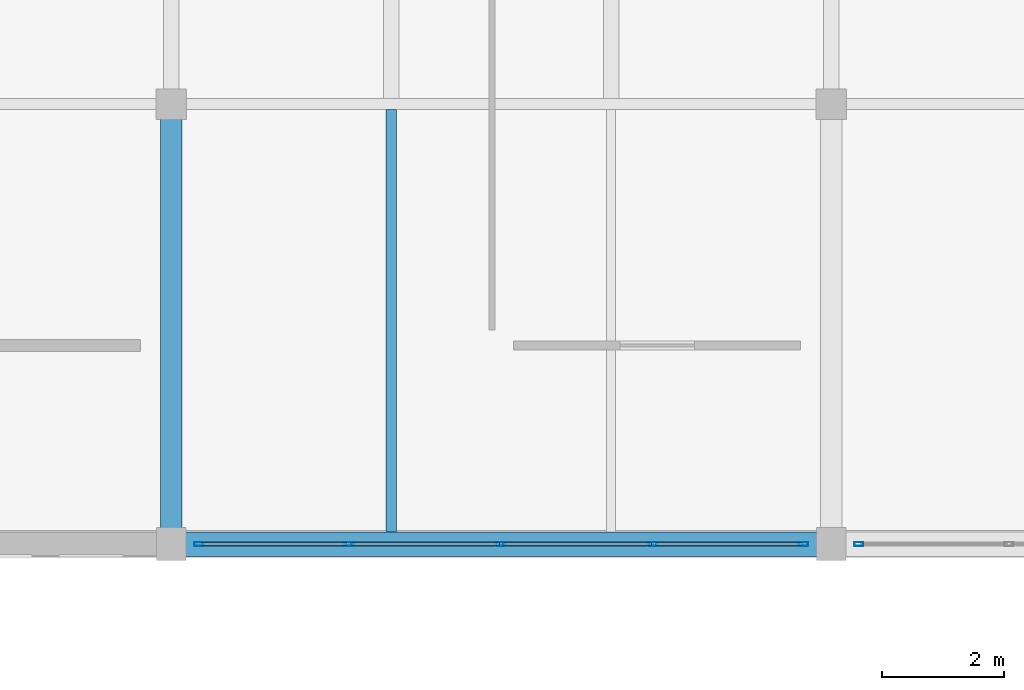
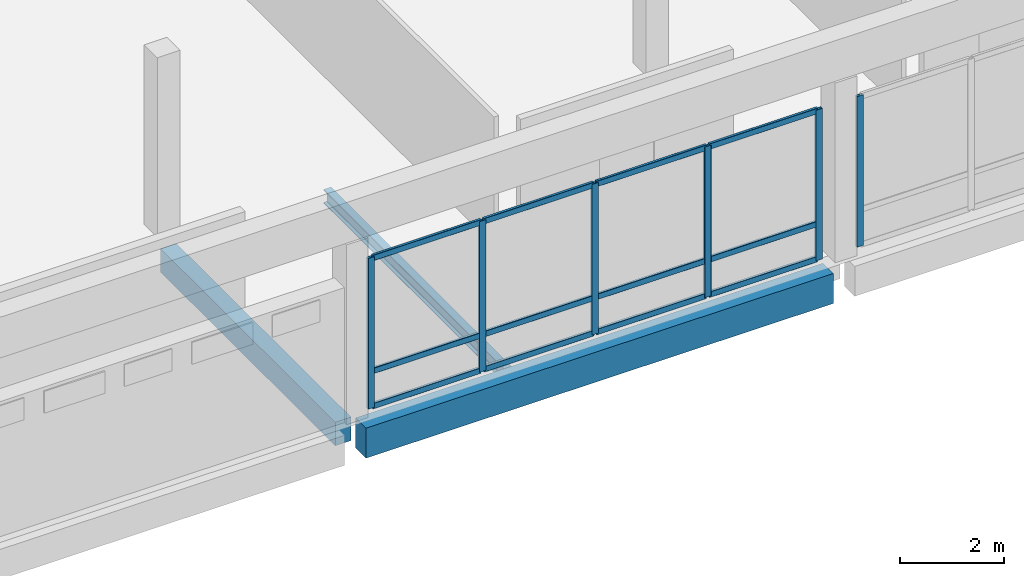
# One storey, part 13 of 33: 18 members, 3 beams, 2 elements without a shape of their own.
"""IFC4 building model written with IfcOpenShell, lengths in metres."""

from ifc_helpers import new_model, si_unit, direction, frame, origin, origin_2d, place, context, subcontext, project, spatial, rectangle, hollow_rectangle, i_section, extrude, material, material_profile, profile_set, type_object, element, aggregate, save


model = new_model("IFC4")

# Units and contexts
model_context = context("Model", 3, precision=1e-05, world=origin(), true_north=direction((0.0, 1.0)))
body_context = subcontext(model_context, "Body", "Model", "MODEL_VIEW")
ifc_project = project(units=[si_unit("LENGTHUNIT", "METRE"), si_unit("AREAUNIT", "SQUARE_METRE"), si_unit("VOLUMEUNIT", "CUBIC_METRE"), si_unit("PLANEANGLEUNIT", "RADIAN"), si_unit("MASSUNIT", "GRAM", prefix="KILO")], contexts=[model_context])

# Site, building, storey
site_placement = place(None, origin())
site = spatial("IfcSite", under=ifc_project, at=site_placement, CompositionType="ELEMENT")
building_placement = place(site_placement, origin())
building = spatial("IfcBuilding", under=site, at=building_placement, Name="Lusvemor Sports Hall", CompositionType="ELEMENT")
storey_placement = place(building_placement, frame((0.0, 0.0, 19.199951171875)))
storey = spatial("IfcBuildingStorey", under=building, at=storey_placement, Name="L04", CompositionType="ELEMENT", Elevation=19.199951171875)

# Beam
ifc_material_1 = material(Name="Concrete C40/50", Category="concrete")
ifc_material_profile_1 = material_profile(ifc_material_1, rectangle(XDim=0.35009765625, YDim=0.550048828125, at=origin_2d()), Name="RC350x550")
ifc_profile_set_1 = profile_set([ifc_material_profile_1], Name="Concrete C40/50")
beam_type_1 = type_object("IfcBeamType", Name="BEAM_RC_550", PredefinedType="BEAM", material=ifc_profile_set_1)
beam_1_placement = place(storey_placement, frame((32.39990234375, 97.466064453125, -0.56494140625), z_axis=(0.0, 1.0, 0.0), x_axis=(-1.0, 0.0, 0.0)))
element("IfcBeam", 1, at=beam_1_placement, inside=storey, type_object=beam_type_1, Name="Beam L04 4:N-P", PredefinedType="BEAM", context=body_context, shape_type="SweptSolid", body=[
    extrude(rectangle(XDim=0.35009765625, YDim=0.550048828125, at=origin_2d()), origin(), (0.0, 0.0, 1.0), 6.68798828125),
])

# Curtain wall, members
ifc_material_2 = material(Name="Thermally broken bronze-anodized aluminium", Category="aluminium")
curtain_wall_type = type_object("IfcCurtainWallType", Name="CW_WING_B", PredefinedType="NOTDEFINED", material=ifc_material_2)
curtain_wall_1_placement = place(storey_placement, origin())
curtain_wall_1 = element("IfcCurtainWall", 2, at=curtain_wall_1_placement, inside=storey, type_object=curtain_wall_type, Name="Curtain Wall CW-L04-S-3-3", PredefinedType="NOTDEFINED")
ifc_material_3 = material(Name="Thermally broken bronze-anodized aluminium", Category="aluminium")
ifc_material_profile_2 = material_profile(ifc_material_3, hollow_rectangle(XDim=0.06494140625, YDim=0.14990234375, WallThickness=0.00390625, InnerFilletRadius=0.00390625, OuterFilletRadius=0.008056640625, at=origin_2d()), Name="CWMUL150x65x4")
ifc_profile_set_2 = profile_set([ifc_material_profile_2], Name="Thermally broken bronze-anodized aluminium")
member_type_1 = type_object("IfcMemberType", Name="CW_MUL_B", PredefinedType="MULLION", material=ifc_profile_set_2)
member_1_placement = place(storey_placement, frame((42.74755859375, 97.199951171875, 0.0), z_axis=(0.0, 0.0, 1.0), x_axis=(0.0, -1.0, 0.0)))
member_1 = element("IfcMember", 3, at=member_1_placement, type_object=member_type_1, Name="CW02 mullion 1", PredefinedType="MULLION", context=body_context, shape_type="SweptSolid", body=[
    extrude(hollow_rectangle(XDim=0.06494140625, YDim=0.14990234375, WallThickness=0.00390625, InnerFilletRadius=0.00390625, OuterFilletRadius=0.008056640625, at=origin_2d()), origin(), (0.0, 0.0, 1.0), 3.52001953125),
])
member_2_placement = place(storey_placement, frame((40.2900390625, 97.199951171875, 0.0), z_axis=(0.0, 0.0, 1.0), x_axis=(0.0, -1.0, 0.0)))
member_2 = element("IfcMember", 4, at=member_2_placement, type_object=member_type_1, Name="CW02 mullion 2", PredefinedType="MULLION", context=body_context, shape_type="SweptSolid", body=[
    extrude(hollow_rectangle(XDim=0.06494140625, YDim=0.14990234375, WallThickness=0.00390625, InnerFilletRadius=0.00390625, OuterFilletRadius=0.008056640625, at=origin_2d()), origin(), (0.0, 0.0, 1.0), 3.52001953125),
])
member_3_placement = place(storey_placement, frame((37.800048828125, 97.199951171875, 0.0), z_axis=(0.0, 0.0, 1.0), x_axis=(0.0, -1.0, 0.0)))
member_3 = element("IfcMember", 5, at=member_3_placement, type_object=member_type_1, Name="CW02 mullion 3", PredefinedType="MULLION", context=body_context, shape_type="SweptSolid", body=[
    extrude(hollow_rectangle(XDim=0.06494140625, YDim=0.14990234375, WallThickness=0.00390625, InnerFilletRadius=0.00390625, OuterFilletRadius=0.008056640625, at=origin_2d()), origin(), (0.0, 0.0, 1.0), 3.52001953125),
])
member_4_placement = place(storey_placement, frame((35.31005859375, 97.199951171875, 0.0), z_axis=(0.0, 0.0, 1.0), x_axis=(0.0, -1.0, 0.0)))
member_4 = element("IfcMember", 6, at=member_4_placement, type_object=member_type_1, Name="CW02 mullion 4", PredefinedType="MULLION", context=body_context, shape_type="SweptSolid", body=[
    extrude(hollow_rectangle(XDim=0.06494140625, YDim=0.14990234375, WallThickness=0.00390625, InnerFilletRadius=0.00390625, OuterFilletRadius=0.008056640625, at=origin_2d()), origin(), (0.0, 0.0, 1.0), 3.52001953125),
])
member_5_placement = place(storey_placement, frame((32.8525390625, 97.199951171875, 0.0), z_axis=(0.0, 0.0, 1.0), x_axis=(0.0, -1.0, 0.0)))
member_5 = element("IfcMember", 7, at=member_5_placement, type_object=member_type_1, Name="CW02 mullion 5", PredefinedType="MULLION", context=body_context, shape_type="SweptSolid", body=[
    extrude(hollow_rectangle(XDim=0.06494140625, YDim=0.14990234375, WallThickness=0.00390625, InnerFilletRadius=0.00390625, OuterFilletRadius=0.008056640625, at=origin_2d()), origin(), (0.0, 0.0, 1.0), 3.52001953125),
])

# Curtain wall, member
curtain_wall_2_placement = place(storey_placement, origin())
curtain_wall_2 = element("IfcCurtainWall", 8, at=curtain_wall_2_placement, inside=storey, type_object=curtain_wall_type, Name="Curtain Wall CW-L04-S-3-4", PredefinedType="NOTDEFINED")
member_6_placement = place(storey_placement, frame((43.652587890625, 97.199951171875, 0.0), z_axis=(0.0, 0.0, 1.0), x_axis=(0.0, -1.0, 0.0)))
member_6 = element("IfcMember", 9, at=member_6_placement, type_object=member_type_1, Name="CW02 mullion 5", PredefinedType="MULLION", context=body_context, shape_type="SweptSolid", body=[
    extrude(hollow_rectangle(XDim=0.06494140625, YDim=0.14990234375, WallThickness=0.00390625, InnerFilletRadius=0.00390625, OuterFilletRadius=0.008056640625, at=origin_2d()), origin(), (0.0, 0.0, 1.0), 3.52001953125),
])
aggregate(curtain_wall_2, [member_6])

# Member
ifc_material_4 = material(Name="Thermally broken bronze-anodized aluminium", Category="aluminium")
ifc_material_profile_3 = material_profile(ifc_material_4, hollow_rectangle(XDim=0.06005859375, YDim=0.135009765625, WallThickness=0.00390625, InnerFilletRadius=0.00390625, OuterFilletRadius=0.008056640625, at=origin_2d()), Name="CWTRN135x60x4")
ifc_profile_set_3 = profile_set([ifc_material_profile_3], Name="Thermally broken bronze-anodized aluminium")
member_type_2 = type_object("IfcMemberType", Name="CW_TRN_B", PredefinedType="USERDEFINED", material=ifc_profile_set_3)
member_7_placement = place(storey_placement, frame((42.715087890625, 97.199951171875, 0.030029296875), z_axis=(-1.0, 0.0, 0.0), x_axis=(0.0, -1.0, 0.0)))
member_7 = element("IfcMember", 10, at=member_7_placement, type_object=member_type_2, Name="CW02 transom 1.1", ObjectType="TRANSOM", PredefinedType="USERDEFINED", context=body_context, shape_type="SweptSolid", body=[
    extrude(hollow_rectangle(XDim=0.06005859375, YDim=0.135009765625, WallThickness=0.00390625, InnerFilletRadius=0.00390625, OuterFilletRadius=0.008056640625, at=origin_2d()), origin(), (0.0, 0.0, 1.0), 2.392578125),
])

member_8_placement = place(storey_placement, frame((42.715087890625, 97.199951171875, 0.85009765625), z_axis=(-1.0, 0.0, 0.0), x_axis=(0.0, -1.0, 0.0)))
member_8 = element("IfcMember", 11, at=member_8_placement, type_object=member_type_2, Name="CW02 transom 1.2", ObjectType="TRANSOM", PredefinedType="USERDEFINED", context=body_context, shape_type="SweptSolid", body=[
    extrude(hollow_rectangle(XDim=0.06005859375, YDim=0.135009765625, WallThickness=0.00390625, InnerFilletRadius=0.00390625, OuterFilletRadius=0.008056640625, at=origin_2d()), origin(), (0.0, 0.0, 1.0), 2.392578125),
])

member_9_placement = place(storey_placement, frame((42.715087890625, 97.199951171875, 3.489990234375), z_axis=(-1.0, 0.0, 0.0), x_axis=(0.0, -1.0, 0.0)))
member_9 = element("IfcMember", 12, at=member_9_placement, type_object=member_type_2, Name="CW02 transom 1.3", ObjectType="TRANSOM", PredefinedType="USERDEFINED", context=body_context, shape_type="SweptSolid", body=[
    extrude(hollow_rectangle(XDim=0.06005859375, YDim=0.135009765625, WallThickness=0.00390625, InnerFilletRadius=0.00390625, OuterFilletRadius=0.008056640625, at=origin_2d()), origin(), (0.0, 0.0, 1.0), 2.392578125),
])

member_10_placement = place(storey_placement, frame((40.257568359375, 97.199951171875, 0.030029296875), z_axis=(-1.0, 0.0, 0.0), x_axis=(0.0, -1.0, 0.0)))
member_10 = element("IfcMember", 13, at=member_10_placement, type_object=member_type_2, Name="CW02 transom 2.1", ObjectType="TRANSOM", PredefinedType="USERDEFINED", context=body_context, shape_type="SweptSolid", body=[
    extrude(hollow_rectangle(XDim=0.06005859375, YDim=0.135009765625, WallThickness=0.00390625, InnerFilletRadius=0.00390625, OuterFilletRadius=0.008056640625, at=origin_2d()), origin(), (0.0, 0.0, 1.0), 2.425048828125),
])

member_11_placement = place(storey_placement, frame((40.257568359375, 97.199951171875, 0.85009765625), z_axis=(-1.0, 0.0, 0.0), x_axis=(0.0, -1.0, 0.0)))
member_11 = element("IfcMember", 14, at=member_11_placement, type_object=member_type_2, Name="CW02 transom 2.2", ObjectType="TRANSOM", PredefinedType="USERDEFINED", context=body_context, shape_type="SweptSolid", body=[
    extrude(hollow_rectangle(XDim=0.06005859375, YDim=0.135009765625, WallThickness=0.00390625, InnerFilletRadius=0.00390625, OuterFilletRadius=0.008056640625, at=origin_2d()), origin(), (0.0, 0.0, 1.0), 2.425048828125),
])

member_12_placement = place(storey_placement, frame((40.257568359375, 97.199951171875, 3.489990234375), z_axis=(-1.0, 0.0, 0.0), x_axis=(0.0, -1.0, 0.0)))
member_12 = element("IfcMember", 15, at=member_12_placement, type_object=member_type_2, Name="CW02 transom 2.3", ObjectType="TRANSOM", PredefinedType="USERDEFINED", context=body_context, shape_type="SweptSolid", body=[
    extrude(hollow_rectangle(XDim=0.06005859375, YDim=0.135009765625, WallThickness=0.00390625, InnerFilletRadius=0.00390625, OuterFilletRadius=0.008056640625, at=origin_2d()), origin(), (0.0, 0.0, 1.0), 2.425048828125),
])

member_13_placement = place(storey_placement, frame((37.767578125, 97.199951171875, 0.030029296875), z_axis=(-1.0, 0.0, 0.0), x_axis=(0.0, -1.0, 0.0)))
member_13 = element("IfcMember", 16, at=member_13_placement, type_object=member_type_2, Name="CW02 transom 3.1", ObjectType="TRANSOM", PredefinedType="USERDEFINED", context=body_context, shape_type="SweptSolid", body=[
    extrude(hollow_rectangle(XDim=0.06005859375, YDim=0.135009765625, WallThickness=0.00390625, InnerFilletRadius=0.00390625, OuterFilletRadius=0.008056640625, at=origin_2d()), origin(), (0.0, 0.0, 1.0), 2.425048828125),
])

member_14_placement = place(storey_placement, frame((37.767578125, 97.199951171875, 0.85009765625), z_axis=(-1.0, 0.0, 0.0), x_axis=(0.0, -1.0, 0.0)))
member_14 = element("IfcMember", 17, at=member_14_placement, type_object=member_type_2, Name="CW02 transom 3.2", ObjectType="TRANSOM", PredefinedType="USERDEFINED", context=body_context, shape_type="SweptSolid", body=[
    extrude(hollow_rectangle(XDim=0.06005859375, YDim=0.135009765625, WallThickness=0.00390625, InnerFilletRadius=0.00390625, OuterFilletRadius=0.008056640625, at=origin_2d()), origin(), (0.0, 0.0, 1.0), 2.425048828125),
])

member_15_placement = place(storey_placement, frame((37.767578125, 97.199951171875, 3.489990234375), z_axis=(-1.0, 0.0, 0.0), x_axis=(0.0, -1.0, 0.0)))
member_15 = element("IfcMember", 18, at=member_15_placement, type_object=member_type_2, Name="CW02 transom 3.3", ObjectType="TRANSOM", PredefinedType="USERDEFINED", context=body_context, shape_type="SweptSolid", body=[
    extrude(hollow_rectangle(XDim=0.06005859375, YDim=0.135009765625, WallThickness=0.00390625, InnerFilletRadius=0.00390625, OuterFilletRadius=0.008056640625, at=origin_2d()), origin(), (0.0, 0.0, 1.0), 2.425048828125),
])

member_16_placement = place(storey_placement, frame((35.277587890625, 97.199951171875, 0.030029296875), z_axis=(-1.0, 0.0, 0.0), x_axis=(0.0, -1.0, 0.0)))
member_16 = element("IfcMember", 19, at=member_16_placement, type_object=member_type_2, Name="CW02 transom 4.1", ObjectType="TRANSOM", PredefinedType="USERDEFINED", context=body_context, shape_type="SweptSolid", body=[
    extrude(hollow_rectangle(XDim=0.06005859375, YDim=0.135009765625, WallThickness=0.00390625, InnerFilletRadius=0.00390625, OuterFilletRadius=0.008056640625, at=origin_2d()), origin(), (0.0, 0.0, 1.0), 2.392578125),
])

member_17_placement = place(storey_placement, frame((35.277587890625, 97.199951171875, 0.85009765625), z_axis=(-1.0, 0.0, 0.0), x_axis=(0.0, -1.0, 0.0)))
member_17 = element("IfcMember", 20, at=member_17_placement, type_object=member_type_2, Name="CW02 transom 4.2", ObjectType="TRANSOM", PredefinedType="USERDEFINED", context=body_context, shape_type="SweptSolid", body=[
    extrude(hollow_rectangle(XDim=0.06005859375, YDim=0.135009765625, WallThickness=0.00390625, InnerFilletRadius=0.00390625, OuterFilletRadius=0.008056640625, at=origin_2d()), origin(), (0.0, 0.0, 1.0), 2.392578125),
])

member_18_placement = place(storey_placement, frame((35.277587890625, 97.199951171875, 3.489990234375), z_axis=(-1.0, 0.0, 0.0), x_axis=(0.0, -1.0, 0.0)))
member_18 = element("IfcMember", 21, at=member_18_placement, type_object=member_type_2, Name="CW02 transom 4.3", ObjectType="TRANSOM", PredefinedType="USERDEFINED", context=body_context, shape_type="SweptSolid", body=[
    extrude(hollow_rectangle(XDim=0.06005859375, YDim=0.135009765625, WallThickness=0.00390625, InnerFilletRadius=0.00390625, OuterFilletRadius=0.008056640625, at=origin_2d()), origin(), (0.0, 0.0, 1.0), 2.392578125),
])

aggregate(curtain_wall_1, [member_1, member_2, member_3, member_4, member_5, member_7, member_8, member_9, member_10, member_11, member_12, member_13, member_14, member_15, member_16, member_17, member_18])

# Beams
ifc_material_5 = material(Name="Steel S355", Category="steel")
ifc_material_profile_4 = material_profile(ifc_material_5, i_section(OverallWidth=0.1669921875, OverallDepth=0.31689453125, WebThickness=0.007568359375, FlangeThickness=0.01318359375, FilletRadius=0.014892578125, at=origin_2d()), Name="W310x52.0")
ifc_profile_set_4 = profile_set([ifc_material_profile_4], Name="Steel S355")
beam_type_2 = type_object("IfcBeamType", Name="JOIST_ST_310M", PredefinedType="JOIST", material=ifc_profile_set_4)
beam_2_placement = place(storey_placement, frame((36.0, 97.39599609375, -0.452392578125), z_axis=(0.0, 1.0, 0.0), x_axis=(-1.0, 0.0, 0.0)))
element("IfcBeam", 22, at=beam_2_placement, inside=storey, type_object=beam_type_2, Name="Secondary Joist L04 4-5/N-P #1", PredefinedType="JOIST", context=body_context, shape_type="SweptSolid", body=[
    extrude(i_section(OverallWidth=0.1669921875, OverallDepth=0.31689453125, WebThickness=0.007568359375, FlangeThickness=0.01318359375, FilletRadius=0.014892578125, at=origin_2d()), origin(), (0.0, 0.0, 1.0), 6.91748046875),
])
ifc_material_6 = material(Name="Concrete C40/50", Category="concrete")
ifc_material_profile_5 = material_profile(ifc_material_6, rectangle(XDim=0.39990234375, YDim=0.699951171875, at=origin_2d()), Name="RC400x700")
ifc_profile_set_5 = profile_set([ifc_material_profile_5], Name="Concrete C40/50")
beam_type_3 = type_object("IfcBeamType", Name="SPAND_EXT_700", PredefinedType="SPANDREL", material=ifc_profile_set_5)
beam_3_placement = place(storey_placement, frame((32.635986328125, 97.199951171875, -0.639892578125), z_axis=(1.0, 0.0, 0.0), x_axis=(0.0, 1.0, 0.0)))
element("IfcBeam", 23, at=beam_3_placement, inside=storey, type_object=beam_type_3, Name="Beam L04 N:4-5", PredefinedType="SPANDREL", context=body_context, shape_type="SweptSolid", body=[
    extrude(rectangle(XDim=0.39990234375, YDim=0.699951171875, at=origin_2d()), origin(), (0.0, 0.0, 1.0), 10.328125),
])

save(model, "model.ifc")
